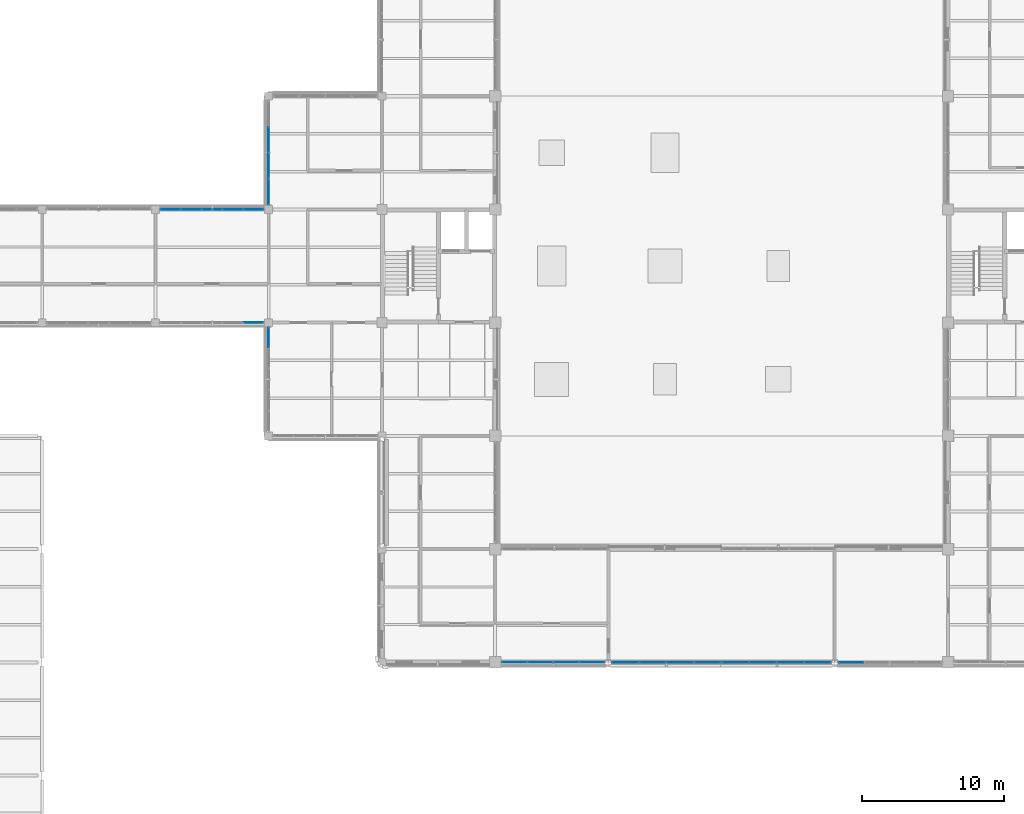
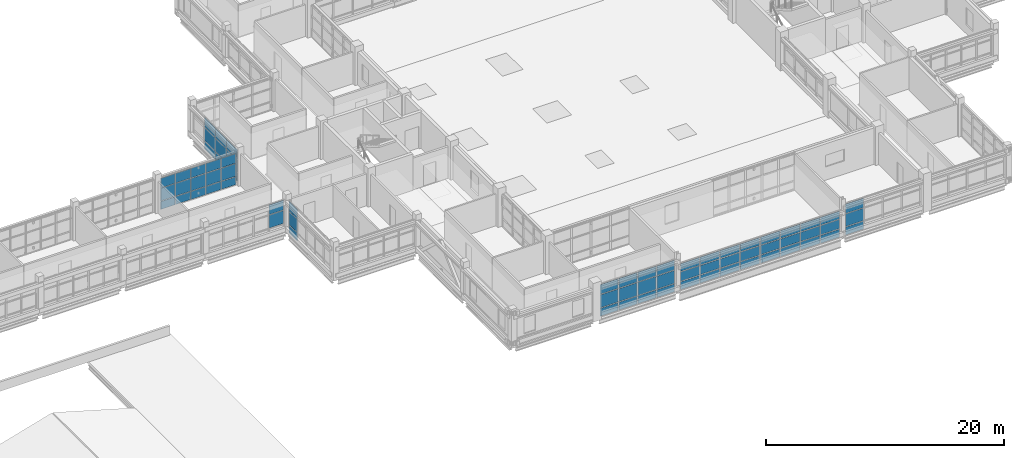
# One storey, part 58 of 107: 68 plates, 8 elements without a shape of their own.
"""IFC4 building model written with IfcOpenShell, lengths in metres."""

from ifc_helpers import new_model, si_unit, derived_unit, direction, frame, origin, origin_2d, place, context, subcontext, project, spatial, rectangle, extrude, material, layer, layer_set, type_object, element, aggregate, save


model = new_model("IFC4")

# Units and contexts
model_context = context("Model", 3, precision=1e-05, world=origin(), true_north=direction((0.0, 1.0)))
body_context = subcontext(model_context, "Body", "Model", "MODEL_VIEW")
ifc_project = project(units=[si_unit("LENGTHUNIT", "METRE"), si_unit("AREAUNIT", "SQUARE_METRE"), si_unit("VOLUMEUNIT", "CUBIC_METRE"), si_unit("PLANEANGLEUNIT", "RADIAN"), si_unit("MASSUNIT", "GRAM", prefix="KILO"), derived_unit("THERMALTRANSMITTANCEUNIT", [(si_unit("MASSUNIT", "GRAM", prefix="KILO"), 1), (si_unit("TIMEUNIT", "SECOND"), -3), (si_unit("THERMODYNAMICTEMPERATUREUNIT", "KELVIN"), -1)])], contexts=[model_context])

# Site, building, storey
site_placement = place(None, origin())
site = spatial("IfcSite", under=ifc_project, at=site_placement, CompositionType="ELEMENT")
building_placement = place(site_placement, origin())
building = spatial("IfcBuilding", under=site, at=building_placement, Name="Veyamyaing Civic Hall", CompositionType="ELEMENT")
storey_placement = place(building_placement, frame((0.0, 0.0, 13.860107421875)))
storey = spatial("IfcBuildingStorey", under=building, at=storey_placement, Name="L03", CompositionType="ELEMENT", Elevation=13.860107421875)

# Curtain wall, plates
ifc_material_1 = material(Name="Anodised aluminium 6063-T6", Category="aluminium")
ifc_layer_1 = layer(ifc_material_1, 0.159912109375, Name="Anodised aluminium 6063-T6")
ifc_layer_set_1 = layer_set([ifc_layer_1], Name="Anodised aluminium 6063-T6")
curtain_wall_type_1 = type_object("IfcCurtainWallType", Name="CW-07", PredefinedType="NOTDEFINED", material=ifc_layer_set_1)
curtain_wall_1_placement = place(storey_placement, origin())
curtain_wall_1 = element("IfcCurtainWall", 1, at=curtain_wall_1_placement, inside=storey, type_object=curtain_wall_type_1, Name="Unitized curtain wall CW-07 L03 W 8.8", PredefinedType="NOTDEFINED")
ifc_material_2 = material(Name="Low-E insulated glass", Category="glass")
ifc_layer_2 = layer(ifc_material_2, 0.028076171875, Name="Low-E insulated glass")
ifc_layer_set_2 = layer_set([ifc_layer_2], Name="Low-E insulated glass")
plate_type_1 = type_object("IfcPlateType", Name="CWP-01", PredefinedType="CURTAIN_PANEL", material=ifc_layer_set_2)
plate_1_placement = place(storey_placement, frame((56.0, 57.2451171875, 0.06494140625), z_axis=(0.0, 0.0, 1.0), x_axis=(0.0, 1.0, 0.0)))
plate_1 = element("IfcPlate", 2, at=plate_1_placement, type_object=plate_type_1, Name="CW-07 panel 1.1", PredefinedType="CURTAIN_PANEL", context=body_context, shape_type="SweptSolid", body=[
    extrude(rectangle(XDim=1.75, YDim=0.028076171875, at=origin_2d()), origin(), (0.0, 0.0, 1.0), 0.802490234375),
])
plate_2_placement = place(storey_placement, frame((56.0, 57.2451171875, 0.9326171875), z_axis=(0.0, 0.0, 1.0), x_axis=(0.0, 1.0, 0.0)))
plate_2 = element("IfcPlate", 3, at=plate_2_placement, type_object=plate_type_1, Name="CW-07 panel 1.2", PredefinedType="CURTAIN_PANEL", context=body_context, shape_type="SweptSolid", body=[
    extrude(rectangle(XDim=1.75, YDim=0.028076171875, at=origin_2d()), origin(), (0.0, 0.0, 1.0), 1.322509765625),
])
plate_3_placement = place(storey_placement, frame((56.0, 57.2451171875, 2.31982421875), z_axis=(0.0, 0.0, 1.0), x_axis=(0.0, 1.0, 0.0)))
plate_3 = element("IfcPlate", 4, at=plate_3_placement, type_object=plate_type_1, Name="CW-07 panel 1.3", PredefinedType="CURTAIN_PANEL", context=body_context, shape_type="SweptSolid", body=[
    extrude(rectangle(XDim=1.75, YDim=0.028076171875, at=origin_2d()), origin(), (0.0, 0.0, 1.0), 0.97900390625),
])
plate_4_placement = place(storey_placement, frame((56.0, 59.076171875, 0.06494140625), z_axis=(0.0, 0.0, 1.0), x_axis=(0.0, 1.0, 0.0)))
plate_4 = element("IfcPlate", 5, at=plate_4_placement, type_object=plate_type_1, Name="CW-07 panel 2.1", PredefinedType="CURTAIN_PANEL", context=body_context, shape_type="SweptSolid", body=[
    extrude(rectangle(XDim=1.782470703125, YDim=0.028076171875, at=origin_2d()), origin(), (0.0, 0.0, 1.0), 0.802490234375),
])
plate_5_placement = place(storey_placement, frame((56.0, 59.076171875, 0.9326171875), z_axis=(0.0, 0.0, 1.0), x_axis=(0.0, 1.0, 0.0)))
plate_5 = element("IfcPlate", 6, at=plate_5_placement, type_object=plate_type_1, Name="CW-07 panel 2.2", PredefinedType="CURTAIN_PANEL", context=body_context, shape_type="SweptSolid", body=[
    extrude(rectangle(XDim=1.782470703125, YDim=0.028076171875, at=origin_2d()), origin(), (0.0, 0.0, 1.0), 1.322509765625),
])
plate_6_placement = place(storey_placement, frame((56.0, 59.076171875, 2.31982421875), z_axis=(0.0, 0.0, 1.0), x_axis=(0.0, 1.0, 0.0)))
plate_6 = element("IfcPlate", 7, at=plate_6_placement, type_object=plate_type_1, Name="CW-07 panel 2.3", PredefinedType="CURTAIN_PANEL", context=body_context, shape_type="SweptSolid", body=[
    extrude(rectangle(XDim=1.782470703125, YDim=0.028076171875, at=origin_2d()), origin(), (0.0, 0.0, 1.0), 0.97900390625),
])
plate_7_placement = place(storey_placement, frame((56.0, 60.923828125, 0.06494140625), z_axis=(0.0, 0.0, 1.0), x_axis=(0.0, 1.0, 0.0)))
plate_7 = element("IfcPlate", 8, at=plate_7_placement, type_object=plate_type_1, Name="CW-07 panel 3.1", PredefinedType="CURTAIN_PANEL", context=body_context, shape_type="SweptSolid", body=[
    extrude(rectangle(XDim=1.782470703125, YDim=0.028076171875, at=origin_2d()), origin(), (0.0, 0.0, 1.0), 0.802490234375),
])
plate_8_placement = place(storey_placement, frame((56.0, 60.923828125, 0.9326171875), z_axis=(0.0, 0.0, 1.0), x_axis=(0.0, 1.0, 0.0)))
plate_8 = element("IfcPlate", 9, at=plate_8_placement, type_object=plate_type_1, Name="CW-07 panel 3.2", PredefinedType="CURTAIN_PANEL", context=body_context, shape_type="SweptSolid", body=[
    extrude(rectangle(XDim=1.782470703125, YDim=0.028076171875, at=origin_2d()), origin(), (0.0, 0.0, 1.0), 1.322509765625),
])
plate_9_placement = place(storey_placement, frame((56.0, 60.923828125, 2.31982421875), z_axis=(0.0, 0.0, 1.0), x_axis=(0.0, 1.0, 0.0)))
plate_9 = element("IfcPlate", 10, at=plate_9_placement, type_object=plate_type_1, Name="CW-07 panel 3.3", PredefinedType="CURTAIN_PANEL", context=body_context, shape_type="SweptSolid", body=[
    extrude(rectangle(XDim=1.782470703125, YDim=0.028076171875, at=origin_2d()), origin(), (0.0, 0.0, 1.0), 0.97900390625),
])
aggregate(curtain_wall_1, [plate_1, plate_2, plate_3, plate_4, plate_5, plate_6, plate_7, plate_8, plate_9])

curtain_wall_2_placement = place(storey_placement, origin())
curtain_wall_2 = element("IfcCurtainWall", 11, at=curtain_wall_2_placement, inside=storey, type_object=curtain_wall_type_1, Name="Unitized curtain wall CW-07 L03 S 12.4", PredefinedType="NOTDEFINED")
plate_10_placement = place(storey_placement, frame((88.989501953125, 24.0, 0.06494140625), z_axis=(0.0, 0.0, 1.0), x_axis=(1.0, 0.0, 0.0)))
plate_10 = element("IfcPlate", 12, at=plate_10_placement, type_object=plate_type_1, Name="CW-07 panel 1.1", PredefinedType="CURTAIN_PANEL", context=body_context, shape_type="SweptSolid", body=[
    extrude(rectangle(XDim=1.848876953125, YDim=0.028076171875, at=origin_2d()), origin(), (0.0, 0.0, 1.0), 0.802490234375),
])
plate_11_placement = place(storey_placement, frame((88.989501953125, 24.0, 0.9326171875), z_axis=(0.0, 0.0, 1.0), x_axis=(1.0, 0.0, 0.0)))
plate_11 = element("IfcPlate", 13, at=plate_11_placement, type_object=plate_type_1, Name="CW-07 panel 1.2", PredefinedType="CURTAIN_PANEL", context=body_context, shape_type="SweptSolid", body=[
    extrude(rectangle(XDim=1.848876953125, YDim=0.028076171875, at=origin_2d()), origin(), (0.0, 0.0, 1.0), 0.931396484375),
])
plate_12_placement = place(storey_placement, frame((88.989501953125, 24.0, 1.928955078125), z_axis=(0.0, 0.0, 1.0), x_axis=(1.0, 0.0, 0.0)))
plate_12 = element("IfcPlate", 14, at=plate_12_placement, type_object=plate_type_1, Name="CW-07 panel 1.3", PredefinedType="CURTAIN_PANEL", context=body_context, shape_type="SweptSolid", body=[
    extrude(rectangle(XDim=1.848876953125, YDim=0.028076171875, at=origin_2d()), origin(), (0.0, 0.0, 1.0), 0.794921875),
])
plate_13_placement = place(storey_placement, frame((90.919677734375, 24.0, 0.06494140625), z_axis=(0.0, 0.0, 1.0), x_axis=(1.0, 0.0, 0.0)))
plate_13 = element("IfcPlate", 15, at=plate_13_placement, type_object=plate_type_1, Name="CW-07 panel 2.1", PredefinedType="CURTAIN_PANEL", context=body_context, shape_type="SweptSolid", body=[
    extrude(rectangle(XDim=1.88134765625, YDim=0.028076171875, at=origin_2d()), origin(), (0.0, 0.0, 1.0), 0.802490234375),
])
plate_14_placement = place(storey_placement, frame((90.919677734375, 24.0, 0.9326171875), z_axis=(0.0, 0.0, 1.0), x_axis=(1.0, 0.0, 0.0)))
plate_14 = element("IfcPlate", 16, at=plate_14_placement, type_object=plate_type_1, Name="CW-07 panel 2.2", PredefinedType="CURTAIN_PANEL", context=body_context, shape_type="SweptSolid", body=[
    extrude(rectangle(XDim=1.88134765625, YDim=0.028076171875, at=origin_2d()), origin(), (0.0, 0.0, 1.0), 0.931396484375),
])
plate_15_placement = place(storey_placement, frame((90.919677734375, 24.0, 1.928955078125), z_axis=(0.0, 0.0, 1.0), x_axis=(1.0, 0.0, 0.0)))
plate_15 = element("IfcPlate", 17, at=plate_15_placement, type_object=plate_type_1, Name="CW-07 panel 2.3", PredefinedType="CURTAIN_PANEL", context=body_context, shape_type="SweptSolid", body=[
    extrude(rectangle(XDim=1.88134765625, YDim=0.028076171875, at=origin_2d()), origin(), (0.0, 0.0, 1.0), 0.794921875),
])
plate_16_placement = place(storey_placement, frame((92.865966796875, 24.0, 0.06494140625), z_axis=(0.0, 0.0, 1.0), x_axis=(1.0, 0.0, 0.0)))
plate_16 = element("IfcPlate", 18, at=plate_16_placement, type_object=plate_type_1, Name="CW-07 panel 3.1", PredefinedType="CURTAIN_PANEL", context=body_context, shape_type="SweptSolid", body=[
    extrude(rectangle(XDim=1.88134765625, YDim=0.028076171875, at=origin_2d()), origin(), (0.0, 0.0, 1.0), 0.802490234375),
])
plate_17_placement = place(storey_placement, frame((92.865966796875, 24.0, 0.9326171875), z_axis=(0.0, 0.0, 1.0), x_axis=(1.0, 0.0, 0.0)))
plate_17 = element("IfcPlate", 19, at=plate_17_placement, type_object=plate_type_1, Name="CW-07 panel 3.2", PredefinedType="CURTAIN_PANEL", context=body_context, shape_type="SweptSolid", body=[
    extrude(rectangle(XDim=1.88134765625, YDim=0.028076171875, at=origin_2d()), origin(), (0.0, 0.0, 1.0), 0.931396484375),
])
plate_18_placement = place(storey_placement, frame((92.865966796875, 24.0, 1.928955078125), z_axis=(0.0, 0.0, 1.0), x_axis=(1.0, 0.0, 0.0)))
plate_18 = element("IfcPlate", 20, at=plate_18_placement, type_object=plate_type_1, Name="CW-07 panel 3.3", PredefinedType="CURTAIN_PANEL", context=body_context, shape_type="SweptSolid", body=[
    extrude(rectangle(XDim=1.88134765625, YDim=0.028076171875, at=origin_2d()), origin(), (0.0, 0.0, 1.0), 0.794921875),
])
plate_19_placement = place(storey_placement, frame((94.796142578125, 24.0, 0.06494140625), z_axis=(0.0, 0.0, 1.0), x_axis=(1.0, 0.0, 0.0)))
plate_19 = element("IfcPlate", 21, at=plate_19_placement, type_object=plate_type_1, Name="CW-07 panel 4.1", PredefinedType="CURTAIN_PANEL", context=body_context, shape_type="SweptSolid", body=[
    extrude(rectangle(XDim=1.848876953125, YDim=0.028076171875, at=origin_2d()), origin(), (0.0, 0.0, 1.0), 0.802490234375),
])
plate_20_placement = place(storey_placement, frame((94.796142578125, 24.0, 0.9326171875), z_axis=(0.0, 0.0, 1.0), x_axis=(1.0, 0.0, 0.0)))
plate_20 = element("IfcPlate", 22, at=plate_20_placement, type_object=plate_type_1, Name="CW-07 panel 4.2", PredefinedType="CURTAIN_PANEL", context=body_context, shape_type="SweptSolid", body=[
    extrude(rectangle(XDim=1.848876953125, YDim=0.028076171875, at=origin_2d()), origin(), (0.0, 0.0, 1.0), 0.931396484375),
])
plate_21_placement = place(storey_placement, frame((94.796142578125, 24.0, 1.928955078125), z_axis=(0.0, 0.0, 1.0), x_axis=(1.0, 0.0, 0.0)))
plate_21 = element("IfcPlate", 23, at=plate_21_placement, type_object=plate_type_1, Name="CW-07 panel 4.3", PredefinedType="CURTAIN_PANEL", context=body_context, shape_type="SweptSolid", body=[
    extrude(rectangle(XDim=1.848876953125, YDim=0.028076171875, at=origin_2d()), origin(), (0.0, 0.0, 1.0), 0.794921875),
])
aggregate(curtain_wall_2, [plate_10, plate_11, plate_12, plate_13, plate_14, plate_15, plate_16, plate_17, plate_18, plate_19, plate_20, plate_21])

curtain_wall_3_placement = place(storey_placement, origin())
curtain_wall_3 = element("IfcCurtainWall", 24, at=curtain_wall_3_placement, inside=storey, type_object=curtain_wall_type_1, Name="Unitized curtain wall CW-07 L03 S 13.4", PredefinedType="NOTDEFINED")
ifc_layer_3 = layer(ifc_material_2, 0.031982421875, Name="Low-E insulated glass")
ifc_layer_set_3 = layer_set([ifc_layer_3], Name="Low-E insulated glass")
plate_type_2 = type_object("IfcPlateType", Name="CWP-02", PredefinedType="CURTAIN_PANEL", material=ifc_layer_set_3)
plate_22_placement = place(storey_placement, frame((97.150146484375, 24.0, 0.06494140625), z_axis=(0.0, 0.0, 1.0), x_axis=(1.0, 0.0, 0.0)))
plate_22 = element("IfcPlate", 25, at=plate_22_placement, type_object=plate_type_2, Name="CW-07 panel 1.1", PredefinedType="CURTAIN_PANEL", context=body_context, shape_type="SweptSolid", body=[
    extrude(rectangle(XDim=1.741455078125, YDim=0.031982421875, at=origin_2d()), origin(), (0.0, 0.0, 1.0), 0.802490234375),
])
plate_23_placement = place(storey_placement, frame((97.150146484375, 24.0, 0.932373046875), z_axis=(0.0, 0.0, 1.0), x_axis=(1.0, 0.0, 0.0)))
plate_23 = element("IfcPlate", 26, at=plate_23_placement, type_object=plate_type_2, Name="CW-07 panel 1.2", PredefinedType="CURTAIN_PANEL", context=body_context, shape_type="SweptSolid", body=[
    extrude(rectangle(XDim=1.741455078125, YDim=0.031982421875, at=origin_2d()), origin(), (0.0, 0.0, 1.0), 1.2783203125),
])
plate_24_placement = place(storey_placement, frame((97.150146484375, 24.0, 2.27587890625), z_axis=(0.0, 0.0, 1.0), x_axis=(1.0, 0.0, 0.0)))
plate_24 = element("IfcPlate", 27, at=plate_24_placement, type_object=plate_type_2, Name="CW-07 panel 1.3", PredefinedType="CURTAIN_PANEL", context=body_context, shape_type="SweptSolid", body=[
    extrude(rectangle(XDim=1.741455078125, YDim=0.031982421875, at=origin_2d()), origin(), (0.0, 0.0, 1.0), 0.958251953125),
])
aggregate(curtain_wall_3, [plate_22, plate_23, plate_24])

ifc_layer_4 = layer(ifc_material_1, 0.139892578125, Name="Anodised aluminium 6063-T6")
ifc_layer_set_4 = layer_set([ifc_layer_4], Name="Anodised aluminium 6063-T6")
curtain_wall_type_2 = type_object("IfcCurtainWallType", Name="CW-04", PredefinedType="NOTDEFINED", material=ifc_layer_set_4)
curtain_wall_4_placement = place(storey_placement, origin())
curtain_wall_4 = element("IfcCurtainWall", 28, at=curtain_wall_4_placement, inside=storey, type_object=curtain_wall_type_2, Name="Unitized curtain wall CW-04 L03 S 7.7", PredefinedType="NOTDEFINED")
ifc_layer_5 = layer(ifc_material_2, 0.0400390625, Name="Low-E insulated glass")
ifc_layer_set_5 = layer_set([ifc_layer_5], Name="Low-E insulated glass")
plate_type_3 = type_object("IfcPlateType", Name="CWP-05", PredefinedType="CURTAIN_PANEL", material=ifc_layer_set_5)
plate_25_placement = place(storey_placement, frame((54.94091796875, 48.0, 0.929931640625), z_axis=(0.0, 0.0, 1.0), x_axis=(1.0, 0.0, 0.0)))
plate_25 = element("IfcPlate", 29, at=plate_25_placement, type_object=plate_type_3, Name="CW-04 panel 5.2", PredefinedType="CURTAIN_PANEL", context=body_context, shape_type="SweptSolid", body=[
    extrude(rectangle(XDim=1.387939453125, YDim=0.0400390625, at=origin_2d()), origin(), (0.0, 0.0, 1.0), 1.32958984375),
])
plate_26_placement = place(storey_placement, frame((54.94091796875, 48.0, 2.319580078125), z_axis=(0.0, 0.0, 1.0), x_axis=(1.0, 0.0, 0.0)))
plate_26 = element("IfcPlate", 30, at=plate_26_placement, type_object=plate_type_3, Name="CW-04 panel 5.3", PredefinedType="CURTAIN_PANEL", context=body_context, shape_type="SweptSolid", body=[
    extrude(rectangle(XDim=1.387939453125, YDim=0.0400390625, at=origin_2d()), origin(), (0.0, 0.0, 1.0), 0.9873046875),
])
aggregate(curtain_wall_4, [plate_25, plate_26])

curtain_wall_5_placement = place(storey_placement, origin())
curtain_wall_5 = element("IfcCurtainWall", 31, at=curtain_wall_5_placement, inside=storey, type_object=curtain_wall_type_2, Name="Unitized curtain wall CW-04 L03 N 7.7", PredefinedType="NOTDEFINED")
plate_27_placement = place(storey_placement, frame((49.05908203125, 56.0, 0.059814453125), z_axis=(0.0, 0.0, 1.0), x_axis=(1.0, 0.0, 0.0)))
plate_27 = element("IfcPlate", 32, at=plate_27_placement, type_object=plate_type_3, Name="CW-04 panel 1.1", PredefinedType="CURTAIN_PANEL", context=body_context, shape_type="SweptSolid", body=[
    extrude(rectangle(XDim=1.387939453125, YDim=0.0400390625, at=origin_2d()), origin(), (0.0, 0.0, 1.0), 0.81005859375),
])
plate_28_placement = place(storey_placement, frame((49.05908203125, 56.0, 0.9296875), z_axis=(0.0, 0.0, 1.0), x_axis=(1.0, 0.0, 0.0)))
plate_28 = element("IfcPlate", 33, at=plate_28_placement, type_object=plate_type_3, Name="CW-04 panel 1.2", PredefinedType="CURTAIN_PANEL", context=body_context, shape_type="SweptSolid", body=[
    extrude(rectangle(XDim=1.387939453125, YDim=0.0400390625, at=origin_2d()), origin(), (0.0, 0.0, 1.0), 1.283935546875),
])
plate_29_placement = place(storey_placement, frame((49.05908203125, 56.0, 2.27392578125), z_axis=(0.0, 0.0, 1.0), x_axis=(1.0, 0.0, 0.0)))
plate_29 = element("IfcPlate", 34, at=plate_29_placement, type_object=plate_type_3, Name="CW-04 panel 1.3", PredefinedType="CURTAIN_PANEL", context=body_context, shape_type="SweptSolid", body=[
    extrude(rectangle(XDim=1.387939453125, YDim=0.0400390625, at=origin_2d()), origin(), (0.0, 0.0, 1.0), 0.966064453125),
])
plate_30_placement = place(storey_placement, frame((50.52197265625, 56.0, 0.059814453125), z_axis=(0.0, 0.0, 1.0), x_axis=(1.0, 0.0, 0.0)))
plate_30 = element("IfcPlate", 35, at=plate_30_placement, type_object=plate_type_3, Name="CW-04 panel 2.1", PredefinedType="CURTAIN_PANEL", context=body_context, shape_type="SweptSolid", body=[
    extrude(rectangle(XDim=1.41796875, YDim=0.0400390625, at=origin_2d()), origin(), (0.0, 0.0, 1.0), 0.81005859375),
])
plate_31_placement = place(storey_placement, frame((50.52197265625, 56.0, 0.9296875), z_axis=(0.0, 0.0, 1.0), x_axis=(1.0, 0.0, 0.0)))
plate_31 = element("IfcPlate", 36, at=plate_31_placement, type_object=plate_type_3, Name="CW-04 panel 2.2", PredefinedType="CURTAIN_PANEL", context=body_context, shape_type="SweptSolid", body=[
    extrude(rectangle(XDim=1.41796875, YDim=0.0400390625, at=origin_2d()), origin(), (0.0, 0.0, 1.0), 1.283935546875),
])
plate_32_placement = place(storey_placement, frame((50.52197265625, 56.0, 2.27392578125), z_axis=(0.0, 0.0, 1.0), x_axis=(1.0, 0.0, 0.0)))
plate_32 = element("IfcPlate", 37, at=plate_32_placement, type_object=plate_type_3, Name="CW-04 panel 2.3", PredefinedType="CURTAIN_PANEL", context=body_context, shape_type="SweptSolid", body=[
    extrude(rectangle(XDim=1.41796875, YDim=0.0400390625, at=origin_2d()), origin(), (0.0, 0.0, 1.0), 0.966064453125),
])
plate_33_placement = place(storey_placement, frame((52.0, 56.0, 0.059814453125), z_axis=(0.0, 0.0, 1.0), x_axis=(1.0, 0.0, 0.0)))
plate_33 = element("IfcPlate", 38, at=plate_33_placement, type_object=plate_type_3, Name="CW-04 panel 3.1", PredefinedType="CURTAIN_PANEL", context=body_context, shape_type="SweptSolid", body=[
    extrude(rectangle(XDim=1.41796875, YDim=0.0400390625, at=origin_2d()), origin(), (0.0, 0.0, 1.0), 0.81005859375),
])
plate_34_placement = place(storey_placement, frame((52.0, 56.0, 0.9296875), z_axis=(0.0, 0.0, 1.0), x_axis=(1.0, 0.0, 0.0)))
plate_34 = element("IfcPlate", 39, at=plate_34_placement, type_object=plate_type_3, Name="CW-04 panel 3.2", PredefinedType="CURTAIN_PANEL", context=body_context, shape_type="SweptSolid", body=[
    extrude(rectangle(XDim=1.41796875, YDim=0.0400390625, at=origin_2d()), origin(), (0.0, 0.0, 1.0), 1.283935546875),
])
plate_35_placement = place(storey_placement, frame((52.0, 56.0, 2.27392578125), z_axis=(0.0, 0.0, 1.0), x_axis=(1.0, 0.0, 0.0)))
plate_35 = element("IfcPlate", 40, at=plate_35_placement, type_object=plate_type_3, Name="CW-04 panel 3.3", PredefinedType="CURTAIN_PANEL", context=body_context, shape_type="SweptSolid", body=[
    extrude(rectangle(XDim=1.41796875, YDim=0.0400390625, at=origin_2d()), origin(), (0.0, 0.0, 1.0), 0.966064453125),
])
plate_36_placement = place(storey_placement, frame((53.47802734375, 56.0, 0.059814453125), z_axis=(0.0, 0.0, 1.0), x_axis=(1.0, 0.0, 0.0)))
plate_36 = element("IfcPlate", 41, at=plate_36_placement, type_object=plate_type_3, Name="CW-04 panel 4.1", PredefinedType="CURTAIN_PANEL", context=body_context, shape_type="SweptSolid", body=[
    extrude(rectangle(XDim=1.41796875, YDim=0.0400390625, at=origin_2d()), origin(), (0.0, 0.0, 1.0), 0.81005859375),
])
plate_37_placement = place(storey_placement, frame((53.47802734375, 56.0, 0.9296875), z_axis=(0.0, 0.0, 1.0), x_axis=(1.0, 0.0, 0.0)))
plate_37 = element("IfcPlate", 42, at=plate_37_placement, type_object=plate_type_3, Name="CW-04 panel 4.2", PredefinedType="CURTAIN_PANEL", context=body_context, shape_type="SweptSolid", body=[
    extrude(rectangle(XDim=1.41796875, YDim=0.0400390625, at=origin_2d()), origin(), (0.0, 0.0, 1.0), 1.283935546875),
])
plate_38_placement = place(storey_placement, frame((53.47802734375, 56.0, 2.27392578125), z_axis=(0.0, 0.0, 1.0), x_axis=(1.0, 0.0, 0.0)))
plate_38 = element("IfcPlate", 43, at=plate_38_placement, type_object=plate_type_3, Name="CW-04 panel 4.3", PredefinedType="CURTAIN_PANEL", context=body_context, shape_type="SweptSolid", body=[
    extrude(rectangle(XDim=1.41796875, YDim=0.0400390625, at=origin_2d()), origin(), (0.0, 0.0, 1.0), 0.966064453125),
])
plate_39_placement = place(storey_placement, frame((54.94091796875, 56.0, 0.059814453125), z_axis=(0.0, 0.0, 1.0), x_axis=(1.0, 0.0, 0.0)))
plate_39 = element("IfcPlate", 44, at=plate_39_placement, type_object=plate_type_3, Name="CW-04 panel 5.1", PredefinedType="CURTAIN_PANEL", context=body_context, shape_type="SweptSolid", body=[
    extrude(rectangle(XDim=1.387939453125, YDim=0.0400390625, at=origin_2d()), origin(), (0.0, 0.0, 1.0), 0.81005859375),
])
plate_40_placement = place(storey_placement, frame((54.94091796875, 56.0, 0.9296875), z_axis=(0.0, 0.0, 1.0), x_axis=(1.0, 0.0, 0.0)))
plate_40 = element("IfcPlate", 45, at=plate_40_placement, type_object=plate_type_3, Name="CW-04 panel 5.2", PredefinedType="CURTAIN_PANEL", context=body_context, shape_type="SweptSolid", body=[
    extrude(rectangle(XDim=1.387939453125, YDim=0.0400390625, at=origin_2d()), origin(), (0.0, 0.0, 1.0), 1.283935546875),
])
plate_41_placement = place(storey_placement, frame((54.94091796875, 56.0, 2.27392578125), z_axis=(0.0, 0.0, 1.0), x_axis=(1.0, 0.0, 0.0)))
plate_41 = element("IfcPlate", 46, at=plate_41_placement, type_object=plate_type_3, Name="CW-04 panel 5.3", PredefinedType="CURTAIN_PANEL", context=body_context, shape_type="SweptSolid", body=[
    extrude(rectangle(XDim=1.387939453125, YDim=0.0400390625, at=origin_2d()), origin(), (0.0, 0.0, 1.0), 0.966064453125),
])
aggregate(curtain_wall_5, [plate_27, plate_28, plate_29, plate_30, plate_31, plate_32, plate_33, plate_34, plate_35, plate_36, plate_37, plate_38, plate_39, plate_40, plate_41])

curtain_wall_6_placement = place(storey_placement, origin())
curtain_wall_6 = element("IfcCurtainWall", 47, at=curtain_wall_6_placement, inside=storey, type_object=curtain_wall_type_2, Name="Unitized curtain wall CW-04 L03 W 8.6", PredefinedType="NOTDEFINED")
plate_42_placement = place(storey_placement, frame((56.0, 46.94091796875, 0.059814453125), z_axis=(0.0, 0.0, 1.0), x_axis=(0.0, 1.0, 0.0)))
plate_42 = element("IfcPlate", 48, at=plate_42_placement, type_object=plate_type_3, Name="CW-04 panel 5.1", PredefinedType="CURTAIN_PANEL", context=body_context, shape_type="SweptSolid", body=[
    extrude(rectangle(XDim=1.387939453125, YDim=0.0400390625, at=origin_2d()), origin(), (0.0, 0.0, 1.0), 0.81005859375),
])
plate_43_placement = place(storey_placement, frame((56.0, 46.94091796875, 0.929931640625), z_axis=(0.0, 0.0, 1.0), x_axis=(0.0, 1.0, 0.0)))
plate_43 = element("IfcPlate", 49, at=plate_43_placement, type_object=plate_type_3, Name="CW-04 panel 5.2", PredefinedType="CURTAIN_PANEL", context=body_context, shape_type="SweptSolid", body=[
    extrude(rectangle(XDim=1.387939453125, YDim=0.0400390625, at=origin_2d()), origin(), (0.0, 0.0, 1.0), 1.32958984375),
])
plate_44_placement = place(storey_placement, frame((56.0, 46.94091796875, 2.319580078125), z_axis=(0.0, 0.0, 1.0), x_axis=(0.0, 1.0, 0.0)))
plate_44 = element("IfcPlate", 50, at=plate_44_placement, type_object=plate_type_3, Name="CW-04 panel 5.3", PredefinedType="CURTAIN_PANEL", context=body_context, shape_type="SweptSolid", body=[
    extrude(rectangle(XDim=1.387939453125, YDim=0.0400390625, at=origin_2d()), origin(), (0.0, 0.0, 1.0), 0.9873046875),
])
aggregate(curtain_wall_6, [plate_42, plate_43, plate_44])

curtain_wall_7_placement = place(storey_placement, origin())
curtain_wall_7 = element("IfcCurtainWall", 51, at=curtain_wall_7_placement, inside=storey, type_object=curtain_wall_type_1, Name="Unitized curtain wall CW-07 L03 S 10.4", PredefinedType="NOTDEFINED")
plate_45_placement = place(storey_placement, frame((73.36572265625, 24.0, 0.06494140625), z_axis=(0.0, 0.0, 1.0), x_axis=(1.0, 0.0, 0.0)))
plate_45 = element("IfcPlate", 52, at=plate_45_placement, type_object=plate_type_3, Name="CW-07 panel 1.1", PredefinedType="CURTAIN_PANEL", context=body_context, shape_type="SweptSolid", body=[
    extrude(rectangle(XDim=1.741455078125, YDim=0.0400390625, at=origin_2d()), origin(), (0.0, 0.0, 1.0), 0.802490234375),
])
plate_46_placement = place(storey_placement, frame((73.36572265625, 24.0, 0.932373046875), z_axis=(0.0, 0.0, 1.0), x_axis=(1.0, 0.0, 0.0)))
plate_46 = element("IfcPlate", 53, at=plate_46_placement, type_object=plate_type_3, Name="CW-07 panel 1.2", PredefinedType="CURTAIN_PANEL", context=body_context, shape_type="SweptSolid", body=[
    extrude(rectangle(XDim=1.741455078125, YDim=0.0400390625, at=origin_2d()), origin(), (0.0, 0.0, 1.0), 1.3212890625),
])
plate_47_placement = place(storey_placement, frame((73.36572265625, 24.0, 2.31884765625), z_axis=(0.0, 0.0, 1.0), x_axis=(1.0, 0.0, 0.0)))
plate_47 = element("IfcPlate", 54, at=plate_47_placement, type_object=plate_type_3, Name="CW-07 panel 1.3", PredefinedType="CURTAIN_PANEL", context=body_context, shape_type="SweptSolid", body=[
    extrude(rectangle(XDim=1.741455078125, YDim=0.0400390625, at=origin_2d()), origin(), (0.0, 0.0, 1.0), 0.978271484375),
])
plate_48_placement = place(storey_placement, frame((75.188232421875, 24.0, 0.06494140625), z_axis=(0.0, 0.0, 1.0), x_axis=(1.0, 0.0, 0.0)))
plate_48 = element("IfcPlate", 55, at=plate_48_placement, type_object=plate_type_3, Name="CW-07 panel 2.1", PredefinedType="CURTAIN_PANEL", context=body_context, shape_type="SweptSolid", body=[
    extrude(rectangle(XDim=1.77392578125, YDim=0.0400390625, at=origin_2d()), origin(), (0.0, 0.0, 1.0), 0.802490234375),
])
plate_49_placement = place(storey_placement, frame((75.188232421875, 24.0, 0.932373046875), z_axis=(0.0, 0.0, 1.0), x_axis=(1.0, 0.0, 0.0)))
plate_49 = element("IfcPlate", 56, at=plate_49_placement, type_object=plate_type_3, Name="CW-07 panel 2.2", PredefinedType="CURTAIN_PANEL", context=body_context, shape_type="SweptSolid", body=[
    extrude(rectangle(XDim=1.77392578125, YDim=0.0400390625, at=origin_2d()), origin(), (0.0, 0.0, 1.0), 1.3212890625),
])
plate_50_placement = place(storey_placement, frame((75.188232421875, 24.0, 2.31884765625), z_axis=(0.0, 0.0, 1.0), x_axis=(1.0, 0.0, 0.0)))
plate_50 = element("IfcPlate", 57, at=plate_50_placement, type_object=plate_type_3, Name="CW-07 panel 2.3", PredefinedType="CURTAIN_PANEL", context=body_context, shape_type="SweptSolid", body=[
    extrude(rectangle(XDim=1.77392578125, YDim=0.0400390625, at=origin_2d()), origin(), (0.0, 0.0, 1.0), 0.978271484375),
])
plate_51_placement = place(storey_placement, frame((77.027099609375, 24.0, 0.06494140625), z_axis=(0.0, 0.0, 1.0), x_axis=(1.0, 0.0, 0.0)))
plate_51 = element("IfcPlate", 58, at=plate_51_placement, type_object=plate_type_3, Name="CW-07 panel 3.1", PredefinedType="CURTAIN_PANEL", context=body_context, shape_type="SweptSolid", body=[
    extrude(rectangle(XDim=1.77392578125, YDim=0.0400390625, at=origin_2d()), origin(), (0.0, 0.0, 1.0), 0.802490234375),
])
plate_52_placement = place(storey_placement, frame((77.027099609375, 24.0, 0.932373046875), z_axis=(0.0, 0.0, 1.0), x_axis=(1.0, 0.0, 0.0)))
plate_52 = element("IfcPlate", 59, at=plate_52_placement, type_object=plate_type_3, Name="CW-07 panel 3.2", PredefinedType="CURTAIN_PANEL", context=body_context, shape_type="SweptSolid", body=[
    extrude(rectangle(XDim=1.77392578125, YDim=0.0400390625, at=origin_2d()), origin(), (0.0, 0.0, 1.0), 1.3212890625),
])
plate_53_placement = place(storey_placement, frame((77.027099609375, 24.0, 2.31884765625), z_axis=(0.0, 0.0, 1.0), x_axis=(1.0, 0.0, 0.0)))
plate_53 = element("IfcPlate", 60, at=plate_53_placement, type_object=plate_type_3, Name="CW-07 panel 3.3", PredefinedType="CURTAIN_PANEL", context=body_context, shape_type="SweptSolid", body=[
    extrude(rectangle(XDim=1.77392578125, YDim=0.0400390625, at=origin_2d()), origin(), (0.0, 0.0, 1.0), 0.978271484375),
])
plate_54_placement = place(storey_placement, frame((78.849853515625, 24.0, 0.06494140625), z_axis=(0.0, 0.0, 1.0), x_axis=(1.0, 0.0, 0.0)))
plate_54 = element("IfcPlate", 61, at=plate_54_placement, type_object=plate_type_3, Name="CW-07 panel 4.1", PredefinedType="CURTAIN_PANEL", context=body_context, shape_type="SweptSolid", body=[
    extrude(rectangle(XDim=1.741455078125, YDim=0.0400390625, at=origin_2d()), origin(), (0.0, 0.0, 1.0), 0.802490234375),
])
plate_55_placement = place(storey_placement, frame((78.849853515625, 24.0, 0.932373046875), z_axis=(0.0, 0.0, 1.0), x_axis=(1.0, 0.0, 0.0)))
plate_55 = element("IfcPlate", 62, at=plate_55_placement, type_object=plate_type_3, Name="CW-07 panel 4.2", PredefinedType="CURTAIN_PANEL", context=body_context, shape_type="SweptSolid", body=[
    extrude(rectangle(XDim=1.741455078125, YDim=0.0400390625, at=origin_2d()), origin(), (0.0, 0.0, 1.0), 1.3212890625),
])
plate_56_placement = place(storey_placement, frame((78.849853515625, 24.0, 2.31884765625), z_axis=(0.0, 0.0, 1.0), x_axis=(1.0, 0.0, 0.0)))
plate_56 = element("IfcPlate", 63, at=plate_56_placement, type_object=plate_type_3, Name="CW-07 panel 4.3", PredefinedType="CURTAIN_PANEL", context=body_context, shape_type="SweptSolid", body=[
    extrude(rectangle(XDim=1.741455078125, YDim=0.0400390625, at=origin_2d()), origin(), (0.0, 0.0, 1.0), 0.978271484375),
])
aggregate(curtain_wall_7, [plate_45, plate_46, plate_47, plate_48, plate_49, plate_50, plate_51, plate_52, plate_53, plate_54, plate_55, plate_56])

curtain_wall_8_placement = place(storey_placement, origin())
curtain_wall_8 = element("IfcCurtainWall", 64, at=curtain_wall_8_placement, inside=storey, type_object=curtain_wall_type_1, Name="Unitized curtain wall CW-07 L03 S 11.4", PredefinedType="NOTDEFINED")
ifc_layer_6 = layer(ifc_material_2, 0.02197265625, Name="Low-E insulated glass")
ifc_layer_set_6 = layer_set([ifc_layer_6], Name="Low-E insulated glass")
plate_type_4 = type_object("IfcPlateType", Name="CWP-06", PredefinedType="CURTAIN_PANEL", material=ifc_layer_set_6)
plate_57_placement = place(storey_placement, frame((81.203857421875, 24.0, 0.06494140625), z_axis=(0.0, 0.0, 1.0), x_axis=(1.0, 0.0, 0.0)))
plate_57 = element("IfcPlate", 65, at=plate_57_placement, type_object=plate_type_4, Name="CW-07 panel 1.1", PredefinedType="CURTAIN_PANEL", context=body_context, shape_type="SweptSolid", body=[
    extrude(rectangle(XDim=1.848876953125, YDim=0.02197265625, at=origin_2d()), origin(), (0.0, 0.0, 1.0), 0.802490234375),
])
plate_58_placement = place(storey_placement, frame((81.203857421875, 24.0, 0.9326171875), z_axis=(0.0, 0.0, 1.0), x_axis=(1.0, 0.0, 0.0)))
plate_58 = element("IfcPlate", 66, at=plate_58_placement, type_object=plate_type_4, Name="CW-07 panel 1.2", PredefinedType="CURTAIN_PANEL", context=body_context, shape_type="SweptSolid", body=[
    extrude(rectangle(XDim=1.848876953125, YDim=0.02197265625, at=origin_2d()), origin(), (0.0, 0.0, 1.0), 0.931396484375),
])
plate_59_placement = place(storey_placement, frame((81.203857421875, 24.0, 1.928955078125), z_axis=(0.0, 0.0, 1.0), x_axis=(1.0, 0.0, 0.0)))
plate_59 = element("IfcPlate", 67, at=plate_59_placement, type_object=plate_type_4, Name="CW-07 panel 1.3", PredefinedType="CURTAIN_PANEL", context=body_context, shape_type="SweptSolid", body=[
    extrude(rectangle(XDim=1.848876953125, YDim=0.02197265625, at=origin_2d()), origin(), (0.0, 0.0, 1.0), 0.794921875),
])
plate_60_placement = place(storey_placement, frame((83.134033203125, 24.0, 0.06494140625), z_axis=(0.0, 0.0, 1.0), x_axis=(1.0, 0.0, 0.0)))
plate_60 = element("IfcPlate", 68, at=plate_60_placement, type_object=plate_type_4, Name="CW-07 panel 2.1", PredefinedType="CURTAIN_PANEL", context=body_context, shape_type="SweptSolid", body=[
    extrude(rectangle(XDim=1.88134765625, YDim=0.02197265625, at=origin_2d()), origin(), (0.0, 0.0, 1.0), 0.802490234375),
])
plate_61_placement = place(storey_placement, frame((83.134033203125, 24.0, 0.9326171875), z_axis=(0.0, 0.0, 1.0), x_axis=(1.0, 0.0, 0.0)))
plate_61 = element("IfcPlate", 69, at=plate_61_placement, type_object=plate_type_4, Name="CW-07 panel 2.2", PredefinedType="CURTAIN_PANEL", context=body_context, shape_type="SweptSolid", body=[
    extrude(rectangle(XDim=1.88134765625, YDim=0.02197265625, at=origin_2d()), origin(), (0.0, 0.0, 1.0), 0.931396484375),
])
plate_62_placement = place(storey_placement, frame((83.134033203125, 24.0, 1.928955078125), z_axis=(0.0, 0.0, 1.0), x_axis=(1.0, 0.0, 0.0)))
plate_62 = element("IfcPlate", 70, at=plate_62_placement, type_object=plate_type_4, Name="CW-07 panel 2.3", PredefinedType="CURTAIN_PANEL", context=body_context, shape_type="SweptSolid", body=[
    extrude(rectangle(XDim=1.88134765625, YDim=0.02197265625, at=origin_2d()), origin(), (0.0, 0.0, 1.0), 0.794921875),
])
plate_63_placement = place(storey_placement, frame((85.080322265625, 24.0, 0.06494140625), z_axis=(0.0, 0.0, 1.0), x_axis=(1.0, 0.0, 0.0)))
plate_63 = element("IfcPlate", 71, at=plate_63_placement, type_object=plate_type_4, Name="CW-07 panel 3.1", PredefinedType="CURTAIN_PANEL", context=body_context, shape_type="SweptSolid", body=[
    extrude(rectangle(XDim=1.88134765625, YDim=0.02197265625, at=origin_2d()), origin(), (0.0, 0.0, 1.0), 0.802490234375),
])
plate_64_placement = place(storey_placement, frame((85.080322265625, 24.0, 0.9326171875), z_axis=(0.0, 0.0, 1.0), x_axis=(1.0, 0.0, 0.0)))
plate_64 = element("IfcPlate", 72, at=plate_64_placement, type_object=plate_type_4, Name="CW-07 panel 3.2", PredefinedType="CURTAIN_PANEL", context=body_context, shape_type="SweptSolid", body=[
    extrude(rectangle(XDim=1.88134765625, YDim=0.02197265625, at=origin_2d()), origin(), (0.0, 0.0, 1.0), 0.931396484375),
])
plate_65_placement = place(storey_placement, frame((85.080322265625, 24.0, 1.928955078125), z_axis=(0.0, 0.0, 1.0), x_axis=(1.0, 0.0, 0.0)))
plate_65 = element("IfcPlate", 73, at=plate_65_placement, type_object=plate_type_4, Name="CW-07 panel 3.3", PredefinedType="CURTAIN_PANEL", context=body_context, shape_type="SweptSolid", body=[
    extrude(rectangle(XDim=1.88134765625, YDim=0.02197265625, at=origin_2d()), origin(), (0.0, 0.0, 1.0), 0.794921875),
])
plate_66_placement = place(storey_placement, frame((87.010498046875, 24.0, 0.06494140625), z_axis=(0.0, 0.0, 1.0), x_axis=(1.0, 0.0, 0.0)))
plate_66 = element("IfcPlate", 74, at=plate_66_placement, type_object=plate_type_4, Name="CW-07 panel 4.1", PredefinedType="CURTAIN_PANEL", context=body_context, shape_type="SweptSolid", body=[
    extrude(rectangle(XDim=1.848876953125, YDim=0.02197265625, at=origin_2d()), origin(), (0.0, 0.0, 1.0), 0.802490234375),
])
plate_67_placement = place(storey_placement, frame((87.010498046875, 24.0, 0.9326171875), z_axis=(0.0, 0.0, 1.0), x_axis=(1.0, 0.0, 0.0)))
plate_67 = element("IfcPlate", 75, at=plate_67_placement, type_object=plate_type_4, Name="CW-07 panel 4.2", PredefinedType="CURTAIN_PANEL", context=body_context, shape_type="SweptSolid", body=[
    extrude(rectangle(XDim=1.848876953125, YDim=0.02197265625, at=origin_2d()), origin(), (0.0, 0.0, 1.0), 0.931396484375),
])
plate_68_placement = place(storey_placement, frame((87.010498046875, 24.0, 1.928955078125), z_axis=(0.0, 0.0, 1.0), x_axis=(1.0, 0.0, 0.0)))
plate_68 = element("IfcPlate", 76, at=plate_68_placement, type_object=plate_type_4, Name="CW-07 panel 4.3", PredefinedType="CURTAIN_PANEL", context=body_context, shape_type="SweptSolid", body=[
    extrude(rectangle(XDim=1.848876953125, YDim=0.02197265625, at=origin_2d()), origin(), (0.0, 0.0, 1.0), 0.794921875),
])
aggregate(curtain_wall_8, [plate_57, plate_58, plate_59, plate_60, plate_61, plate_62, plate_63, plate_64, plate_65, plate_66, plate_67, plate_68])

save(model, "model.ifc")
